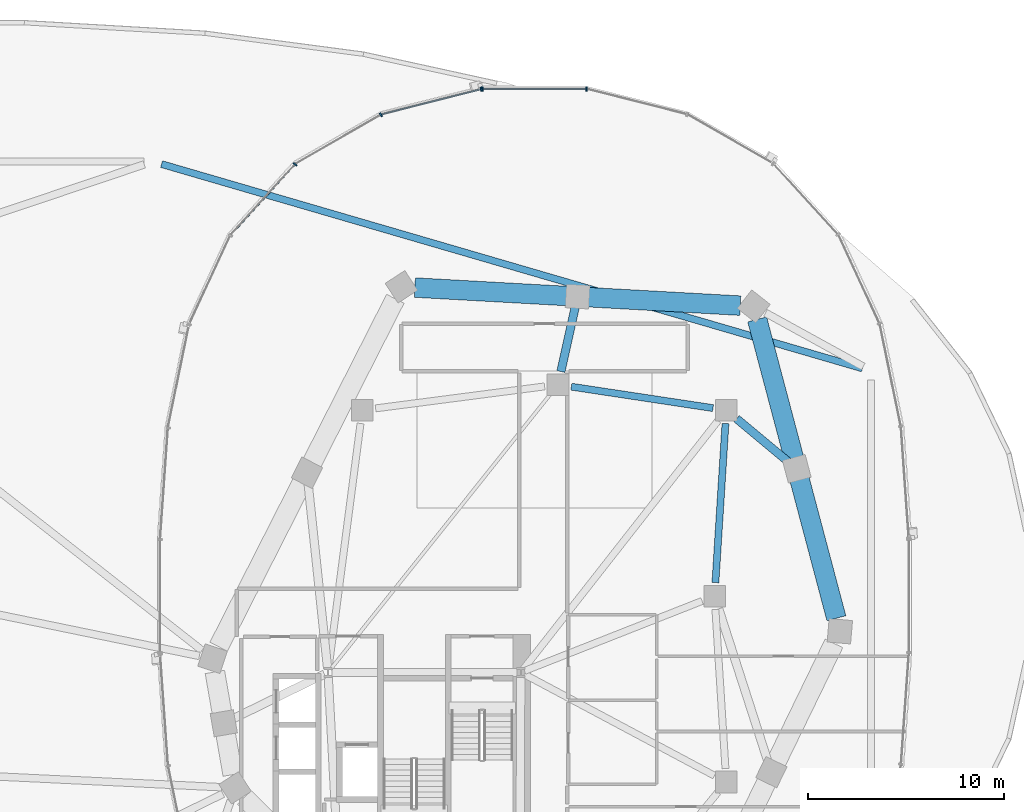
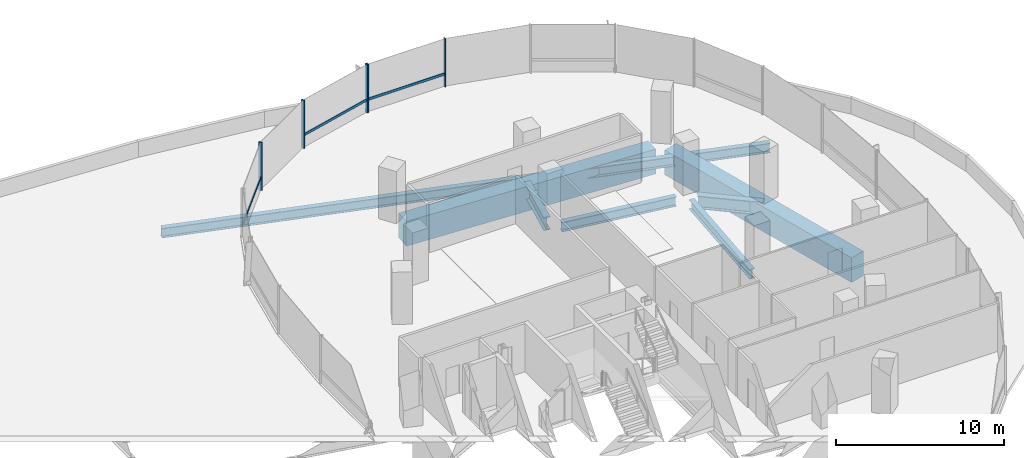
# One storey, part 14 of 28: 8 members, 7 beams, 2 elements without a shape of their own.
"""IFC4 building model written with IfcOpenShell, lengths in metres."""

from ifc_helpers import new_model, si_unit, direction, frame, origin, origin_2d, place, context, subcontext, project, spatial, rectangle, i_section, extrude, material, material_profile, profile_set, type_object, element, aggregate, save


model = new_model("IFC4")

# Units and contexts
model_context = context("Model", 3, precision=1e-05, world=origin(), true_north=direction((0.0, 1.0)))
body_context = subcontext(model_context, "Body", "Model", "MODEL_VIEW")
ifc_project = project(units=[si_unit("LENGTHUNIT", "METRE"), si_unit("AREAUNIT", "SQUARE_METRE"), si_unit("VOLUMEUNIT", "CUBIC_METRE"), si_unit("PLANEANGLEUNIT", "RADIAN"), si_unit("MASSUNIT", "GRAM", prefix="KILO"), si_unit("THERMODYNAMICTEMPERATUREUNIT", "KELVIN"), si_unit("POWERUNIT", "WATT")], contexts=[model_context])

# Site, building, storey
site_placement = place(None, origin())
site = spatial("IfcSite", under=ifc_project, at=site_placement, CompositionType="ELEMENT")
building_placement = place(site_placement, origin())
building = spatial("IfcBuilding", under=site, at=building_placement, Name="Cundina Bronze Exchange", CompositionType="ELEMENT")
storey_placement = place(building_placement, frame((0.0, 0.0, 24.0)))
storey = spatial("IfcBuildingStorey", under=building, at=storey_placement, Name="L05", CompositionType="ELEMENT", Elevation=24.0)

# Beams
ifc_material_1 = material(Name="Steel ASTM A992 Grade 50", Category="steel")
ifc_material_profile_1 = material_profile(ifc_material_1, i_section(OverallWidth=0.35498046875, OverallDepth=0.695068359375, WebThickness=0.015380859375, FlangeThickness=0.02490234375, FilletRadius=0.01806640625, at=origin_2d()), Name="W27X146", Category="steel")
ifc_profile_set_1 = profile_set([ifc_material_profile_1], Name="Steel ASTM A992 Grade 50")
beam_type_1 = type_object("IfcBeamType", Name="BM-RING-W27", PredefinedType="USERDEFINED", material=ifc_profile_set_1)
beam_1_placement = place(storey_placement, frame((41.243408203125, 0.6865234375, -0.6474609375), z_axis=(0.063020359641, 0.998012241544, 0.0), x_axis=(-0.998012241544, 0.063020359641, 0.0)))
element("IfcBeam", 1, at=beam_1_placement, inside=storey, type_object=beam_type_1, Name="L05 E Inner Structural Ring Girder 04", ObjectType="GIRDER", PredefinedType="USERDEFINED", context=body_context, shape_type="SweptSolid", body=[
    extrude(i_section(OverallWidth=0.35498046875, OverallDepth=0.695068359375, WebThickness=0.015380859375, FlangeThickness=0.02490234375, FilletRadius=0.01806640625, at=origin_2d()), origin(), (0.0, 0.0, 1.0), 8.14306640625),
])
beam_2_placement = place(storey_placement, frame((41.11962890625, 9.602783203125, -0.6474609375), z_axis=(-0.988763496177, 0.149488289268, 0.0), x_axis=(-0.149488289268, -0.988763496177, 0.0)))
element("IfcBeam", 2, at=beam_2_placement, inside=storey, type_object=beam_type_1, Name="L05 E Inner Structural Ring Girder 05", ObjectType="GIRDER", PredefinedType="USERDEFINED", context=body_context, shape_type="SweptSolid", body=[
    extrude(i_section(OverallWidth=0.35498046875, OverallDepth=0.695068359375, WebThickness=0.015380859375, FlangeThickness=0.02490234375, FilletRadius=0.01806640625, at=origin_2d()), origin(), (0.0, 0.0, 1.0), 7.321533203125),
])
beam_3_placement = place(storey_placement, frame((12.944580078125, 22.0703125, -0.652587890625), z_axis=(0.960030342111, -0.279895948926, 0.0), x_axis=(0.279895948926, 0.960030342111, 0.0)))
element("IfcBeam", 3, at=beam_3_placement, inside=storey, type_object=beam_type_1, Name="L05 Podium Roof Edge Girder 07", ObjectType="GIRDER", PredefinedType="USERDEFINED", context=body_context, shape_type="SweptSolid", body=[
    extrude(i_section(OverallWidth=0.35498046875, OverallDepth=0.695068359375, WebThickness=0.015380859375, FlangeThickness=0.02490234375, FilletRadius=0.01806640625, at=origin_2d()), origin(), (0.0, 0.0, 1.0), 37.302001953125),
])
ifc_material_profile_2 = material_profile(ifc_material_1, i_section(OverallWidth=0.423095703125, OverallDepth=0.947998046875, WebThickness=0.02392578125, FlangeThickness=0.042724609375, FilletRadius=0.02392578125, at=origin_2d()), Name="W36X302", Category="steel")
ifc_profile_set_2 = profile_set([ifc_material_profile_2], Name="Steel ASTM A992 Grade 50")
beam_type_2 = type_object("IfcBeamType", Name="BM-WRN-W36A", PredefinedType="USERDEFINED", material=ifc_profile_set_2)
beam_4_placement = place(storey_placement, frame((42.32861328125, 9.0595703125, -0.77392578125), z_axis=(0.768201257817, -0.640208425036, 0.0), x_axis=(0.640208425036, 0.768201257817, 0.0)))
element("IfcBeam", 4, at=beam_4_placement, inside=storey, type_object=beam_type_2, Name="L05 E Transfer Radial Tie Girder 09", ObjectType="GIRDER", PredefinedType="USERDEFINED", context=body_context, shape_type="SweptSolid", body=[
    extrude(i_section(OverallWidth=0.423095703125, OverallDepth=0.947998046875, WebThickness=0.02392578125, FlangeThickness=0.042724609375, FilletRadius=0.02392578125, at=origin_2d()), origin(), (0.0, 0.0, 1.0), 3.998046875),
])
beam_5_placement = place(storey_placement, frame((33.34912109375, 11.4716796875, -0.77392578125), z_axis=(0.216950232122, 0.976182665684, 0.0), x_axis=(-0.976182665684, 0.216950232122, 0.0)))
element("IfcBeam", 5, at=beam_5_placement, inside=storey, type_object=beam_type_2, Name="L05 E Transfer Radial Tie Girder 11", ObjectType="GIRDER", PredefinedType="USERDEFINED", context=body_context, shape_type="SweptSolid", body=[
    extrude(i_section(OverallWidth=0.423095703125, OverallDepth=0.947998046875, WebThickness=0.02392578125, FlangeThickness=0.042724609375, FilletRadius=0.02392578125, at=origin_2d()), origin(), (0.0, 0.0, 1.0), 3.921875),
])
ifc_material_2 = material(Name="Concrete C60/75", Category="concrete")
ifc_material_profile_3 = material_profile(ifc_material_2, rectangle(XDim=1.0, YDim=1.800048828125, at=origin_2d()), Name="RC1000X1800", Category="concrete")
ifc_profile_set_3 = profile_set([ifc_material_profile_3], Name="Concrete C60/75")
beam_type_3 = type_object("IfcBeamType", Name="BM-XFER-RC1800", PredefinedType="USERDEFINED", material=ifc_profile_set_3)
beam_6_placement = place(storey_placement, frame((47.423583984375, -1.135009765625, -1.199951171875), z_axis=(-0.256206036219, 0.966622194554, 0.0), x_axis=(-0.966622194554, -0.256206036219, 0.0)))
element("IfcBeam", 6, at=beam_6_placement, inside=storey, type_object=beam_type_3, Name="L05 E Podium Perimeter Transfer Girder 08", ObjectType="GIRDER", PredefinedType="USERDEFINED", context=body_context, shape_type="SweptSolid", body=[
    extrude(rectangle(XDim=1.0, YDim=1.800048828125, at=origin_2d()), origin(), (0.0, 0.0, 1.0), 15.79736328125),
])
beam_7_placement = place(storey_placement, frame((42.51318359375, 14.838134765625, -1.199951171875), z_axis=(-0.998460668975, 0.055464335483, 0.0), x_axis=(-0.055464335483, -0.998460668975, 0.0)))
element("IfcBeam", 7, at=beam_7_placement, inside=storey, type_object=beam_type_3, Name="L05 E Podium Perimeter Transfer Girder 10", ObjectType="GIRDER", PredefinedType="USERDEFINED", context=body_context, shape_type="SweptSolid", body=[
    extrude(rectangle(XDim=1.0, YDim=1.800048828125, at=origin_2d()), origin(), (0.0, 0.0, 1.0), 16.65185546875),
])

# Curtain wall, members
ifc_material_3 = material(Name="Anodised Bronze Aluminium 6063-T6", Category="aluminium")
curtain_wall_type = type_object("IfcCurtainWallType", Name="CWS-TRD-LOW", PredefinedType="NOTDEFINED", material=ifc_material_3)
curtain_wall_1_placement = place(storey_placement, origin())
curtain_wall_1 = element("IfcCurtainWall", 8, at=curtain_wall_1_placement, inside=storey, type_object=curtain_wall_type, Name="L05 CW-02 Curtain Wall Run CWR-L05-E1", PredefinedType="NOTDEFINED")
ifc_material_profile_4 = material_profile(ifc_material_3, rectangle(XDim=0.074951171875, YDim=0.219970703125, at=origin_2d()), Name="AL75X220", Category="aluminium")
ifc_profile_set_4 = profile_set([ifc_material_profile_4], Name="Anodised Bronze Aluminium 6063-T6")
member_type_1 = type_object("IfcMemberType", Name="CWM-MUL-220", PredefinedType="MULLION", material=ifc_profile_set_4)
member_1_placement = place(storey_placement, frame((34.654541015625, 25.905029296875, 0.0), z_axis=(0.0, 0.0, 1.0), x_axis=(-1.0, 0.0, 0.0)))
member_1 = element("IfcMember", 9, at=member_1_placement, type_object=member_type_1, Name="CW-02 Mullion 7", PredefinedType="MULLION", context=body_context, shape_type="SweptSolid", body=[
    extrude(rectangle(XDim=0.074951171875, YDim=0.219970703125, at=origin_2d()), origin(), (0.0, 0.0, 1.0), 3.5),
])
member_2_placement = place(storey_placement, frame((29.345458984375, 25.905029296875, 0.0), z_axis=(0.0, 0.0, 1.0), x_axis=(-1.0, 0.0, 0.0)))
member_2 = element("IfcMember", 10, at=member_2_placement, type_object=member_type_1, Name="CW-02 End Mullion", PredefinedType="MULLION", context=body_context, shape_type="SweptSolid", body=[
    extrude(rectangle(XDim=0.074951171875, YDim=0.219970703125, at=origin_2d()), origin(), (0.0, 0.0, 1.0), 3.5),
])

curtain_wall_2_placement = place(storey_placement, origin())
curtain_wall_2 = element("IfcCurtainWall", 11, at=curtain_wall_2_placement, inside=storey, type_object=curtain_wall_type, Name="L05 CW-02 Curtain Wall Run CWR-L05-E2", PredefinedType="NOTDEFINED")
member_3_placement = place(storey_placement, frame((29.27392578125, 25.89599609375, 0.0), z_axis=(0.0, 0.0, 1.0), x_axis=(-0.969488149345, -0.245138182011, 0.0)))
member_3 = element("IfcMember", 12, at=member_3_placement, type_object=member_type_1, Name="CW-02 Mullion 1", PredefinedType="MULLION", context=body_context, shape_type="SweptSolid", body=[
    extrude(rectangle(XDim=0.074951171875, YDim=0.219970703125, at=origin_2d()), origin(), (0.0, 0.0, 1.0), 3.5),
])
member_4_placement = place(storey_placement, frame((24.151123046875, 24.591064453125, 0.0), z_axis=(0.0, 0.0, 1.0), x_axis=(-0.867070701164, -0.498185105339, 0.0)))
member_4 = element("IfcMember", 13, at=member_4_placement, type_object=member_type_1, Name="CW-02 Mullion 2", PredefinedType="MULLION", context=body_context, shape_type="SweptSolid", body=[
    extrude(rectangle(XDim=0.074951171875, YDim=0.219970703125, at=origin_2d()), origin(), (0.0, 0.0, 1.0), 3.5),
])
member_5_placement = place(storey_placement, frame((19.760498046875, 22.0576171875, 0.0), z_axis=(0.0, 0.0, 1.0), x_axis=(-0.674302387584, -0.738455340626, 0.0)))
member_5 = element("IfcMember", 14, at=member_5_placement, type_object=member_type_1, Name="CW-02 Mullion 3", PredefinedType="MULLION", context=body_context, shape_type="SweptSolid", body=[
    extrude(rectangle(XDim=0.074951171875, YDim=0.219970703125, at=origin_2d()), origin(), (0.0, 0.0, 1.0), 3.5),
])

# Member
ifc_material_profile_5 = material_profile(ifc_material_3, rectangle(XDim=0.070068359375, YDim=0.179931640625, at=origin_2d()), Name="AL70X180", Category="aluminium")
ifc_profile_set_5 = profile_set([ifc_material_profile_5], Name="Anodised Bronze Aluminium 6063-T6")
member_type_2 = type_object("IfcMemberType", Name="CWM-TRN-180", PredefinedType="USERDEFINED", material=ifc_profile_set_5)
member_6_placement = place(storey_placement, frame((34.61328125, 25.905029296875, 0.919921875), z_axis=(-1.0, 0.0, 0.0), x_axis=(0.0, -1.0, 0.0)))
member_6 = element("IfcMember", 15, at=member_6_placement, type_object=member_type_2, Name="CW-02 Spandrel Transom 7", ObjectType="TRANSOM", PredefinedType="USERDEFINED", context=body_context, shape_type="SweptSolid", body=[
    extrude(rectangle(XDim=0.070068359375, YDim=0.179931640625, at=origin_2d()), origin(), (0.0, 0.0, 1.0), 5.2265625),
])

aggregate(curtain_wall_1, [member_1, member_2, member_6])

member_7_placement = place(storey_placement, frame((29.23388671875, 25.885986328125, 0.919921875), z_axis=(-0.969483968866, -0.245154714644, 0.0), x_axis=(0.245154714644, -0.969483968866, 0.0)))
member_7 = element("IfcMember", 16, at=member_7_placement, type_object=member_type_2, Name="CW-02 Spandrel Transom 1", ObjectType="TRANSOM", PredefinedType="USERDEFINED", context=body_context, shape_type="SweptSolid", body=[
    extrude(rectangle(XDim=0.070068359375, YDim=0.179931640625, at=origin_2d()), origin(), (0.0, 0.0, 1.0), 5.21826171875),
])

member_8_placement = place(storey_placement, frame((19.73291015625, 22.027099609375, 0.919921875), z_axis=(-0.674302794847, -0.738454968743, 0.0), x_axis=(0.738454968743, -0.674302794847, 0.0)))
member_8 = element("IfcMember", 17, at=member_8_placement, type_object=member_type_2, Name="CW-02 Spandrel Transom 3", ObjectType="TRANSOM", PredefinedType="USERDEFINED", context=body_context, shape_type="SweptSolid", body=[
    extrude(rectangle(XDim=0.070068359375, YDim=0.179931640625, at=origin_2d()), origin(), (0.0, 0.0, 1.0), 4.848388671875),
])

aggregate(curtain_wall_2, [member_3, member_7, member_4, member_5, member_8])

save(model, "model.ifc")
